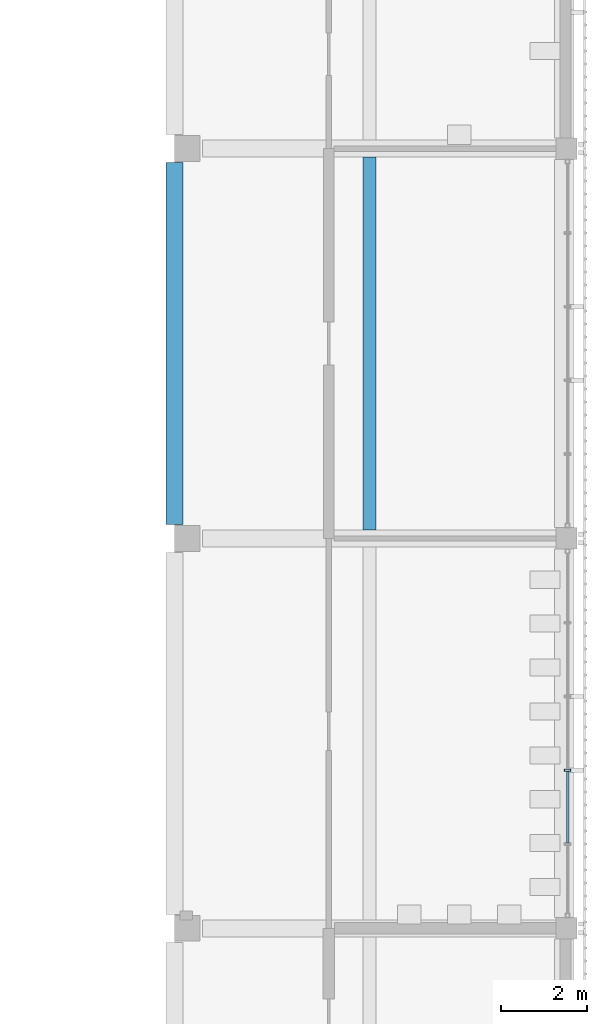
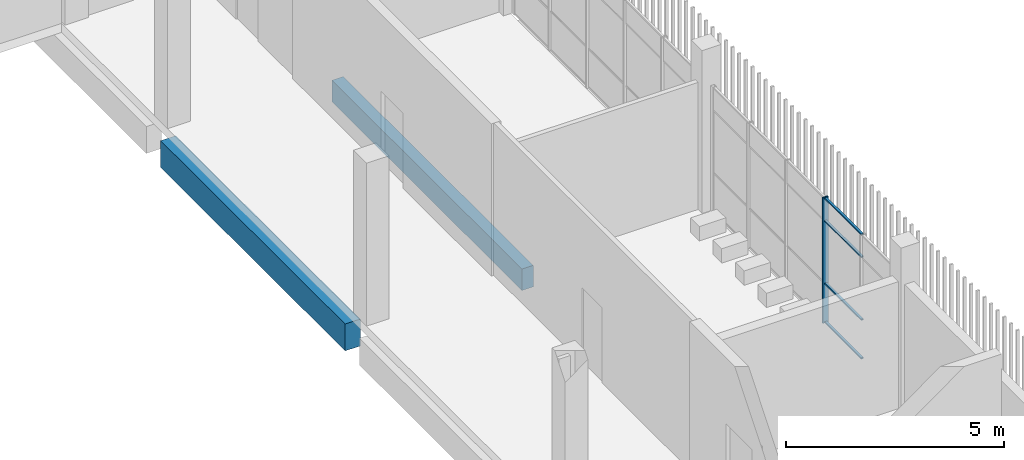
# One storey, part 53 of 124: 5 members, 2 beams, 1 element without a shape of its own.
"""IFC4 building model written with IfcOpenShell, lengths in metres."""

from ifc_helpers import new_model, si_unit, direction, frame, origin, origin_2d, place, context, subcontext, project, spatial, rectangle, hollow_rectangle, extrude, material, layer, layer_set, material_profile, profile_set, type_object, element, aggregate, save


model = new_model("IFC4")

# Units and contexts
model_context = context("Model", 3, precision=1e-05, world=origin(), true_north=direction((0.0, 1.0)))
body_context = subcontext(model_context, "Body", "Model", "MODEL_VIEW")
ifc_project = project(units=[si_unit("LENGTHUNIT", "METRE"), si_unit("AREAUNIT", "SQUARE_METRE"), si_unit("VOLUMEUNIT", "CUBIC_METRE"), si_unit("PLANEANGLEUNIT", "RADIAN"), si_unit("MASSUNIT", "GRAM", prefix="KILO")], contexts=[model_context])

# Site, building, storey
site_placement = place(None, origin())
site = spatial("IfcSite", under=ifc_project, at=site_placement, CompositionType="ELEMENT")
building_placement = place(site_placement, origin())
building = spatial("IfcBuilding", under=site, at=building_placement, Name="Shirokan Park Arena", CompositionType="ELEMENT")
storey_placement = place(building_placement, frame((0.0, 0.0, 20.02001953125)))
storey = spatial("IfcBuildingStorey", under=building, at=storey_placement, Name="L04", CompositionType="ELEMENT", Elevation=20.02001953125)

# Curtain wall, member
ifc_material_1 = material(Name="Steel and glass curtain wall", Category="steel")
ifc_layer = layer(ifc_material_1, 0.14990234375)
ifc_layer_set = layer_set([ifc_layer], Name="Steel and glass curtain wall 150 mm")
curtain_wall_type = type_object("IfcCurtainWallType", Name="Curtain wall exposed bay 150", PredefinedType="NOTDEFINED", material=ifc_layer_set)
curtain_wall_placement = place(storey_placement, origin())
curtain_wall = element("IfcCurtainWall", 1, at=curtain_wall_placement, inside=storey, type_object=curtain_wall_type, Name="Curtain wall east bay 6 L04", PredefinedType="NOTDEFINED")
ifc_material_2 = material(Name="Steel S355", Category="steel")
ifc_material_profile_1 = material_profile(ifc_material_2, hollow_rectangle(XDim=0.14990234375, YDim=0.050048828125, WallThickness=0.006103515625, at=origin_2d()), Name="RHS 150x50x6")
ifc_profile_set_1 = profile_set([ifc_material_profile_1], Name="Steel S355")
member_type_1 = type_object("IfcMemberType", Name="Mullion RHS 150x50x6", PredefinedType="MULLION", material=ifc_profile_set_1)
member_1_placement = place(storey_placement, frame((145.675048828125, 49.18994140625, 0.0), z_axis=(0.0, 0.0, 1.0), x_axis=(-1.0, 0.0, 0.0)))
member_1 = element("IfcMember", 2, at=member_1_placement, type_object=member_type_1, Name="CW1 mullion 3", PredefinedType="MULLION", context=body_context, shape_type="SweptSolid", body=[
    extrude(hollow_rectangle(XDim=0.14990234375, YDim=0.050048828125, WallThickness=0.006103515625, at=origin_2d()), origin(), (0.0, 0.0, 1.0), 3.5),
])

# Beams
ifc_material_3 = material(Name="Concrete C35", Category="concrete")
ifc_material_profile_2 = material_profile(ifc_material_3, rectangle(XDim=0.39990234375, YDim=0.75, at=origin_2d()), Name="400x750")
ifc_profile_set_2 = profile_set([ifc_material_profile_2], Name="Concrete C35")
beam_type_1 = type_object("IfcBeamType", Name="RC girder 400x750", PredefinedType="BEAM", material=ifc_profile_set_2)
beam_1_placement = place(storey_placement, frame((136.5, 54.925048828125, -0.625), z_axis=(0.0, 1.0, 0.0), x_axis=(-1.0, 0.0, 0.0)))
element("IfcBeam", 3, at=beam_1_placement, inside=storey, type_object=beam_type_1, Name="Girder 16G-16H L04", PredefinedType="BEAM", context=body_context, shape_type="SweptSolid", body=[
    extrude(rectangle(XDim=0.39990234375, YDim=0.75, at=origin_2d()), origin(), (0.0, 0.0, 1.0), 8.449951171875),
])
ifc_material_profile_3 = material_profile(ifc_material_3, rectangle(XDim=0.300048828125, YDim=0.60009765625, at=origin_2d()), Name="300x600")
ifc_profile_set_3 = profile_set([ifc_material_profile_3], Name="Concrete C35")
beam_type_2 = type_object("IfcBeamType", Name="RC joist 300x600", PredefinedType="JOIST", material=ifc_profile_set_3)
beam_2_placement = place(storey_placement, frame((141.050048828125, 54.800048828125, -0.550048828125), z_axis=(0.0, 1.0, 0.0), x_axis=(-1.0, 0.0, 0.0)))
element("IfcBeam", 4, at=beam_2_placement, inside=storey, type_object=beam_type_2, Name="Joist 17G L04", PredefinedType="JOIST", context=body_context, shape_type="SweptSolid", body=[
    extrude(rectangle(XDim=0.300048828125, YDim=0.60009765625, at=origin_2d()), origin(), (0.0, 0.0, 1.0), 8.699951171875),
])

# Member
ifc_material_profile_4 = material_profile(ifc_material_2, hollow_rectangle(XDim=0.06005859375, YDim=0.0400390625, WallThickness=0.00390625, at=origin_2d()), Name="RHS 60x40x4")
ifc_profile_set_4 = profile_set([ifc_material_profile_4], Name="Steel S355")
member_type_2 = type_object("IfcMemberType", Name="Transom RHS 60x40x4", PredefinedType="MULLION", material=ifc_profile_set_4)
member_2_placement = place(storey_placement, frame((145.675048828125, 47.4951171875, 0.02001953125), z_axis=(0.0, 1.0, 0.0), x_axis=(-1.0, 0.0, 0.0)))
member_2 = element("IfcMember", 5, at=member_2_placement, type_object=member_type_2, Name="CW1 transom 2.1", PredefinedType="MULLION", context=body_context, shape_type="SweptSolid", body=[
    extrude(hollow_rectangle(XDim=0.06005859375, YDim=0.0400390625, WallThickness=0.00390625, at=origin_2d()), origin(), (0.0, 0.0, 1.0), 1.669921875),
])

member_3_placement = place(storey_placement, frame((145.675048828125, 47.4951171875, 1.10009765625), z_axis=(0.0, 1.0, 0.0), x_axis=(-1.0, 0.0, 0.0)))
member_3 = element("IfcMember", 6, at=member_3_placement, type_object=member_type_2, Name="CW1 transom 2.2", PredefinedType="MULLION", context=body_context, shape_type="SweptSolid", body=[
    extrude(hollow_rectangle(XDim=0.06005859375, YDim=0.0400390625, WallThickness=0.00390625, at=origin_2d()), origin(), (0.0, 0.0, 1.0), 1.669921875),
])

member_4_placement = place(storey_placement, frame((145.675048828125, 47.4951171875, 2.85009765625), z_axis=(0.0, 1.0, 0.0), x_axis=(-1.0, 0.0, 0.0)))
member_4 = element("IfcMember", 7, at=member_4_placement, type_object=member_type_2, Name="CW1 transom 2.3", PredefinedType="MULLION", context=body_context, shape_type="SweptSolid", body=[
    extrude(hollow_rectangle(XDim=0.06005859375, YDim=0.0400390625, WallThickness=0.00390625, at=origin_2d()), origin(), (0.0, 0.0, 1.0), 1.669921875),
])

member_5_placement = place(storey_placement, frame((145.675048828125, 47.4951171875, 3.47998046875), z_axis=(0.0, 1.0, 0.0), x_axis=(-1.0, 0.0, 0.0)))
member_5 = element("IfcMember", 8, at=member_5_placement, type_object=member_type_2, Name="CW1 transom 2.4", PredefinedType="MULLION", context=body_context, shape_type="SweptSolid", body=[
    extrude(hollow_rectangle(XDim=0.06005859375, YDim=0.0400390625, WallThickness=0.00390625, at=origin_2d()), origin(), (0.0, 0.0, 1.0), 1.669921875),
])

aggregate(curtain_wall, [member_1, member_2, member_3, member_4, member_5])

save(model, "model.ifc")
